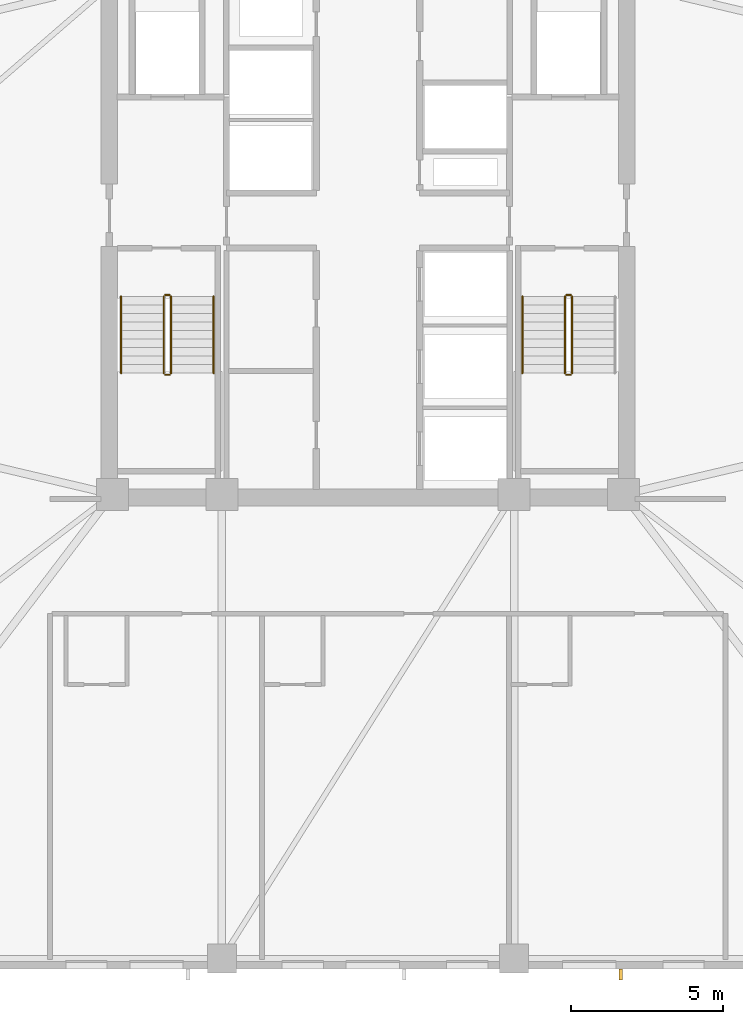
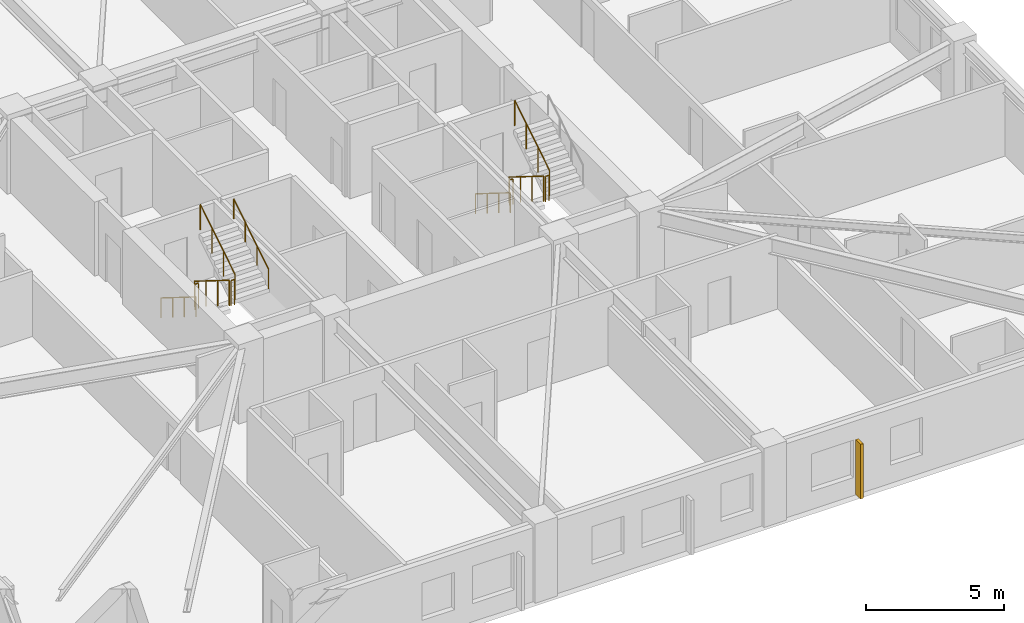
# One storey, part 8 of 11: 11 railings, 1 shading device.
"""IFC4 building model written with IfcOpenShell, lengths in metres."""

from ifc_helpers import new_model, si_unit, direction, frame, origin, origin_2d, place, context, subcontext, project, spatial, rectangle, circle, extrude, material, type_object, element, save


model = new_model("IFC4")

# Units and contexts
model_context = context("Model", 3, precision=1e-05, world=origin(), true_north=direction((0.0, 1.0)))
body_context = subcontext(model_context, "Body", "Model", "MODEL_VIEW")
ifc_project = project(units=[si_unit("LENGTHUNIT", "METRE"), si_unit("AREAUNIT", "SQUARE_METRE"), si_unit("VOLUMEUNIT", "CUBIC_METRE"), si_unit("PLANEANGLEUNIT", "RADIAN"), si_unit("MASSUNIT", "GRAM", prefix="KILO")], contexts=[model_context])

# Site, building, storey
site_placement = place(None, origin())
site = spatial("IfcSite", under=ifc_project, at=site_placement, CompositionType="ELEMENT")
building_placement = place(site_placement, origin())
building = spatial("IfcBuilding", under=site, at=building_placement, Name="Cairnveth Concourse Tower", CompositionType="ELEMENT")
storey_placement = place(building_placement, frame((0.0, 0.0, 130.5)))
storey = spatial("IfcBuildingStorey", under=building, at=storey_placement, Name="L35", CompositionType="ELEMENT", Elevation=130.5)

# Shading device
ifc_material_1 = material(Name="Architectural Bronze Anodised Aluminium 6063-T6", Category="aluminium")
shading_device_type = type_object("IfcShadingDeviceType", Name="GOTHIC BRONZE VERTICAL LANCET FIN", PredefinedType="USERDEFINED", material=ifc_material_1)
shading_device_placement = place(storey_placement, frame((60.301025390625, 14.824951171875, 0.030029296875), z_axis=(0.0, 0.0, 1.0), x_axis=(1.0, 0.0, 0.0)))
element("IfcShadingDevice", 1, at=shading_device_placement, inside=storey, type_object=shading_device_type, Name="Gothic Bronze Vertical Fin L35-9-3", ObjectType="VERTICAL FIN", PredefinedType="USERDEFINED", context=body_context, shape_type="SweptSolid", body=[
    extrude(rectangle(XDim=0.1201171875, YDim=0.360107421875, at=origin_2d()), origin(), (0.0, 0.0, 1.0), 2.419921875),
])

# Railings
ifc_material_2 = material(Name="Steel Grade 350", Category="steel")
railing_type_1 = type_object("IfcRailingType", Name="STAIR GUARDRAIL 1150", PredefinedType="GUARDRAIL", material=ifc_material_2)
railing_1_placement = place(storey_placement, frame((45.2900390625, 37.10009765625, 0.175048828125)))
element("IfcRailing", 2, at=railing_1_placement, inside=storey, type_object=railing_type_1, Name="L35 ST-1 stair guard 1", PredefinedType="GUARDRAIL", context=body_context, shape_type="SweptSolid", body=[
    extrude(circle(Radius=0.02392578125, at=origin_2d()), frame((0.0, 0.0, 1.1259765625), z_axis=(0.0, -0.848007534815, 0.529984170421), x_axis=(1.0, 0.0, 0.0)), (0.0, 0.0, 1.0), 2.9716796875),
    extrude(circle(Radius=0.02099609375, at=origin_2d()), origin(), (0.0, 0.0, 1.0), 1.101806640625),
    extrude(circle(Radius=0.02099609375, at=origin_2d()), frame((0.0, -0.840087890625, 0.52490234375)), (0.0, 0.0, 1.0), 1.101806640625),
    extrude(circle(Radius=0.02099609375, at=origin_2d()), frame((0.0, -1.679931640625, 1.050048828125)), (0.0, 0.0, 1.0), 1.101806640625),
    extrude(circle(Radius=0.02099609375, at=origin_2d()), frame((0.0, -2.52001953125, 1.574951171875)), (0.0, 0.0, 1.0), 1.101806640625),
])
railing_2_placement = place(storey_placement, frame((45.340087890625, 34.530029296875, 1.75)))
element("IfcRailing", 3, at=railing_2_placement, inside=storey, type_object=railing_type_1, Name="L35 ST-1 stair guard 2", PredefinedType="GUARDRAIL", context=body_context, shape_type="SweptSolid", body=[
    extrude(circle(Radius=0.02392578125, at=origin_2d()), frame((0.0, 0.0, 1.1259765625), z_axis=(1.0, 0.0, 0.0), x_axis=(0.0, 1.0, 0.0)), (0.0, 0.0, 1.0), 0.139892578125),
    extrude(circle(Radius=0.02099609375, at=origin_2d()), origin(), (0.0, 0.0, 1.0), 1.101806640625),
    extrude(circle(Radius=0.02099609375, at=origin_2d()), frame((0.139892578125, 0.0, 0.0)), (0.0, 0.0, 1.0), 1.101806640625),
])
railing_3_placement = place(storey_placement, frame((45.530029296875, 34.580078125, 1.925048828125)))
element("IfcRailing", 4, at=railing_3_placement, inside=storey, type_object=railing_type_1, Name="L35 ST-1 stair guard 3", PredefinedType="GUARDRAIL", context=body_context, shape_type="SweptSolid", body=[
    extrude(circle(Radius=0.02392578125, at=origin_2d()), frame((0.0, 0.0, 1.1259765625), z_axis=(0.0, 0.848007534815, 0.529984170421), x_axis=(-1.0, 0.0, 0.0)), (0.0, 0.0, 1.0), 2.9716796875),
    extrude(circle(Radius=0.02099609375, at=origin_2d()), origin(), (0.0, 0.0, 1.0), 1.101806640625),
    extrude(circle(Radius=0.02099609375, at=origin_2d()), frame((0.0, 0.840087890625, 0.52490234375)), (0.0, 0.0, 1.0), 1.101806640625),
    extrude(circle(Radius=0.02099609375, at=origin_2d()), frame((0.0, 1.679931640625, 1.050048828125)), (0.0, 0.0, 1.0), 1.101806640625),
    extrude(circle(Radius=0.02099609375, at=origin_2d()), frame((0.0, 2.52001953125, 1.574951171875)), (0.0, 0.0, 1.0), 1.101806640625),
])
railing_4_placement = place(storey_placement, frame((45.340087890625, 37.14990234375, 0.0)))
element("IfcRailing", 5, at=railing_4_placement, inside=storey, type_object=railing_type_1, Name="L35 ST-1 stair guard 4", PredefinedType="GUARDRAIL", context=body_context, shape_type="SweptSolid", body=[
    extrude(circle(Radius=0.02392578125, at=origin_2d()), frame((0.0, 0.0, 1.1259765625), z_axis=(1.0, 0.0, 0.0), x_axis=(0.0, 1.0, 0.0)), (0.0, 0.0, 1.0), 0.139892578125),
    extrude(circle(Radius=0.02099609375, at=origin_2d()), origin(), (0.0, 0.0, 1.0), 1.101806640625),
    extrude(circle(Radius=0.02099609375, at=origin_2d()), frame((0.139892578125, 0.0, 0.0)), (0.0, 0.0, 1.0), 1.101806640625),
])
railing_5_placement = place(storey_placement, frame((58.469970703125, 37.10009765625, 0.175048828125)))
element("IfcRailing", 6, at=railing_5_placement, inside=storey, type_object=railing_type_1, Name="L35 ST-2 stair guard 1", PredefinedType="GUARDRAIL", context=body_context, shape_type="SweptSolid", body=[
    extrude(circle(Radius=0.02392578125, at=origin_2d()), frame((0.0, 0.0, 1.1259765625), z_axis=(0.0, -0.848007534815, 0.529984170421), x_axis=(1.0, 0.0, 0.0)), (0.0, 0.0, 1.0), 2.9716796875),
    extrude(circle(Radius=0.02099609375, at=origin_2d()), origin(), (0.0, 0.0, 1.0), 1.101806640625),
    extrude(circle(Radius=0.02099609375, at=origin_2d()), frame((0.0, -0.840087890625, 0.52490234375)), (0.0, 0.0, 1.0), 1.101806640625),
    extrude(circle(Radius=0.02099609375, at=origin_2d()), frame((0.0, -1.679931640625, 1.050048828125)), (0.0, 0.0, 1.0), 1.101806640625),
    extrude(circle(Radius=0.02099609375, at=origin_2d()), frame((0.0, -2.52001953125, 1.574951171875)), (0.0, 0.0, 1.0), 1.101806640625),
])
railing_6_placement = place(storey_placement, frame((58.52001953125, 34.530029296875, 1.75)))
element("IfcRailing", 7, at=railing_6_placement, inside=storey, type_object=railing_type_1, Name="L35 ST-2 stair guard 2", PredefinedType="GUARDRAIL", context=body_context, shape_type="SweptSolid", body=[
    extrude(circle(Radius=0.02392578125, at=origin_2d()), frame((0.0, 0.0, 1.1259765625), z_axis=(1.0, 0.0, 0.0), x_axis=(0.0, 1.0, 0.0)), (0.0, 0.0, 1.0), 0.139892578125),
    extrude(circle(Radius=0.02099609375, at=origin_2d()), origin(), (0.0, 0.0, 1.0), 1.101806640625),
    extrude(circle(Radius=0.02099609375, at=origin_2d()), frame((0.139892578125, 0.0, 0.0)), (0.0, 0.0, 1.0), 1.101806640625),
])
railing_7_placement = place(storey_placement, frame((58.7099609375, 34.580078125, 1.925048828125)))
element("IfcRailing", 8, at=railing_7_placement, inside=storey, type_object=railing_type_1, Name="L35 ST-2 stair guard 3", PredefinedType="GUARDRAIL", context=body_context, shape_type="SweptSolid", body=[
    extrude(circle(Radius=0.02392578125, at=origin_2d()), frame((0.0, 0.0, 1.1259765625), z_axis=(0.0, 0.848007534815, 0.529984170421), x_axis=(-1.0, 0.0, 0.0)), (0.0, 0.0, 1.0), 2.9716796875),
    extrude(circle(Radius=0.02099609375, at=origin_2d()), origin(), (0.0, 0.0, 1.0), 1.101806640625),
    extrude(circle(Radius=0.02099609375, at=origin_2d()), frame((0.0, 0.840087890625, 0.52490234375)), (0.0, 0.0, 1.0), 1.101806640625),
    extrude(circle(Radius=0.02099609375, at=origin_2d()), frame((0.0, 1.679931640625, 1.050048828125)), (0.0, 0.0, 1.0), 1.101806640625),
    extrude(circle(Radius=0.02099609375, at=origin_2d()), frame((0.0, 2.52001953125, 1.574951171875)), (0.0, 0.0, 1.0), 1.101806640625),
])
railing_8_placement = place(storey_placement, frame((58.52001953125, 37.14990234375, 0.0)))
element("IfcRailing", 9, at=railing_8_placement, inside=storey, type_object=railing_type_1, Name="L35 ST-2 stair guard 4", PredefinedType="GUARDRAIL", context=body_context, shape_type="SweptSolid", body=[
    extrude(circle(Radius=0.02392578125, at=origin_2d()), frame((0.0, 0.0, 1.1259765625), z_axis=(1.0, 0.0, 0.0), x_axis=(0.0, 1.0, 0.0)), (0.0, 0.0, 1.0), 0.139892578125),
    extrude(circle(Radius=0.02099609375, at=origin_2d()), origin(), (0.0, 0.0, 1.0), 1.101806640625),
    extrude(circle(Radius=0.02099609375, at=origin_2d()), frame((0.139892578125, 0.0, 0.0)), (0.0, 0.0, 1.0), 1.101806640625),
])
railing_type_2 = type_object("IfcRailingType", Name="STAIR WALL HANDRAIL 900", PredefinedType="HANDRAIL", material=ifc_material_2)
railing_9_placement = place(storey_placement, frame((43.889892578125, 37.10009765625, 0.175048828125)))
element("IfcRailing", 10, at=railing_9_placement, inside=storey, type_object=railing_type_2, Name="L35 ST-1 stair handrail 1", PredefinedType="HANDRAIL", context=body_context, shape_type="SweptSolid", body=[
    extrude(circle(Radius=0.02392578125, at=origin_2d()), frame((0.0, 0.0, 0.8759765625), z_axis=(0.0, -0.848007534815, 0.529984170421), x_axis=(1.0, 0.0, 0.0)), (0.0, 0.0, 1.0), 2.9716796875),
    extrude(circle(Radius=0.02099609375, at=origin_2d()), origin(), (0.0, 0.0, 1.0), 0.851806640625),
    extrude(circle(Radius=0.02099609375, at=origin_2d()), frame((0.0, -0.840087890625, 0.52490234375)), (0.0, 0.0, 1.0), 0.851806640625),
    extrude(circle(Radius=0.02099609375, at=origin_2d()), frame((0.0, -1.679931640625, 1.050048828125)), (0.0, 0.0, 1.0), 0.851806640625),
    extrude(circle(Radius=0.02099609375, at=origin_2d()), frame((0.0, -2.52001953125, 1.574951171875)), (0.0, 0.0, 1.0), 0.851806640625),
])
railing_10_placement = place(storey_placement, frame((46.929931640625, 34.580078125, 1.925048828125)))
element("IfcRailing", 11, at=railing_10_placement, inside=storey, type_object=railing_type_2, Name="L35 ST-1 stair handrail 2", PredefinedType="HANDRAIL", context=body_context, shape_type="SweptSolid", body=[
    extrude(circle(Radius=0.02392578125, at=origin_2d()), frame((0.0, 0.0, 0.8759765625), z_axis=(0.0, 0.848007534815, 0.529984170421), x_axis=(-1.0, 0.0, 0.0)), (0.0, 0.0, 1.0), 2.9716796875),
    extrude(circle(Radius=0.02099609375, at=origin_2d()), origin(), (0.0, 0.0, 1.0), 0.851806640625),
    extrude(circle(Radius=0.02099609375, at=origin_2d()), frame((0.0, 0.840087890625, 0.52490234375)), (0.0, 0.0, 1.0), 0.851806640625),
    extrude(circle(Radius=0.02099609375, at=origin_2d()), frame((0.0, 1.679931640625, 1.050048828125)), (0.0, 0.0, 1.0), 0.851806640625),
    extrude(circle(Radius=0.02099609375, at=origin_2d()), frame((0.0, 2.52001953125, 1.574951171875)), (0.0, 0.0, 1.0), 0.851806640625),
])
railing_11_placement = place(storey_placement, frame((57.070068359375, 37.10009765625, 0.175048828125)))
element("IfcRailing", 12, at=railing_11_placement, inside=storey, type_object=railing_type_2, Name="L35 ST-2 stair handrail 1", PredefinedType="HANDRAIL", context=body_context, shape_type="SweptSolid", body=[
    extrude(circle(Radius=0.02392578125, at=origin_2d()), frame((0.0, 0.0, 0.8759765625), z_axis=(0.0, -0.848007534815, 0.529984170421), x_axis=(1.0, 0.0, 0.0)), (0.0, 0.0, 1.0), 2.9716796875),
    extrude(circle(Radius=0.02099609375, at=origin_2d()), origin(), (0.0, 0.0, 1.0), 0.851806640625),
    extrude(circle(Radius=0.02099609375, at=origin_2d()), frame((0.0, -0.840087890625, 0.52490234375)), (0.0, 0.0, 1.0), 0.851806640625),
    extrude(circle(Radius=0.02099609375, at=origin_2d()), frame((0.0, -1.679931640625, 1.050048828125)), (0.0, 0.0, 1.0), 0.851806640625),
    extrude(circle(Radius=0.02099609375, at=origin_2d()), frame((0.0, -2.52001953125, 1.574951171875)), (0.0, 0.0, 1.0), 0.851806640625),
])

save(model, "model.ifc")
